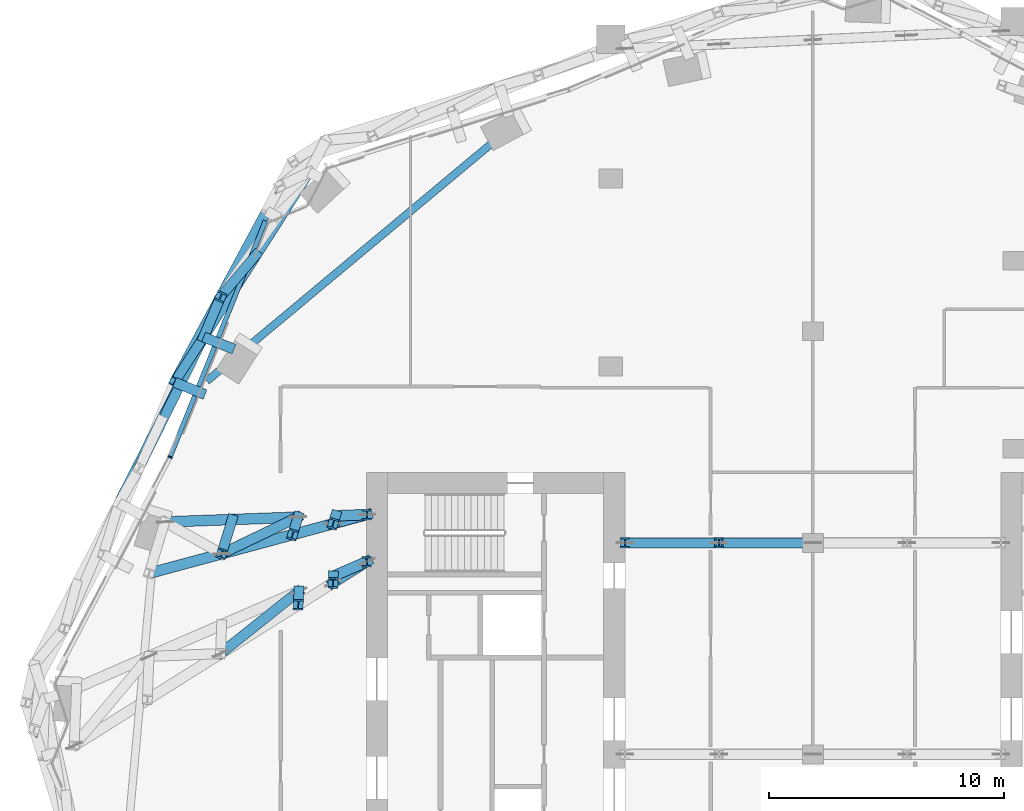
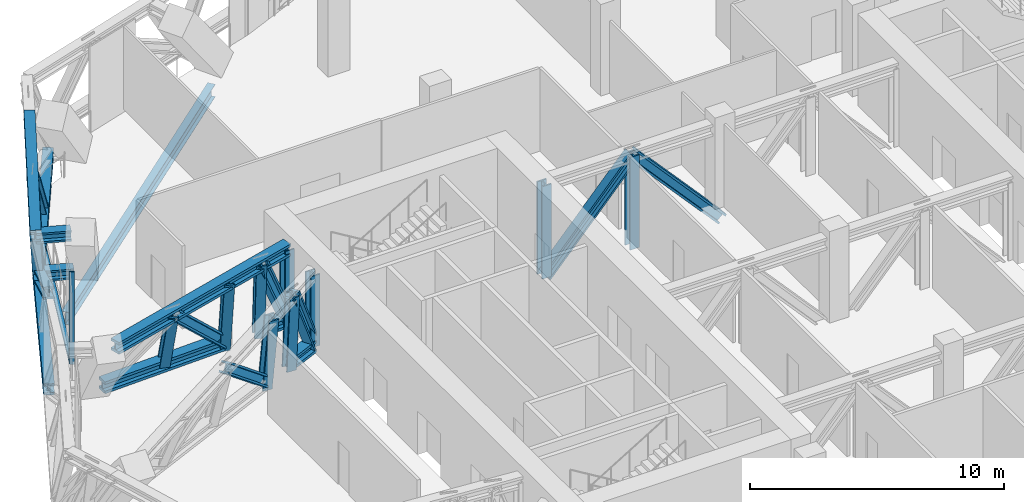
# One storey, part 8 of 31: 30 members, 1 beam, 1 element without a shape of its own.
"""IFC4 building model written with IfcOpenShell, lengths in metres."""

from ifc_helpers import new_model, si_unit, direction, frame, origin, origin_2d, place, context, subcontext, project, spatial, rectangle, i_section, extrude, material, material_profile, profile_set, type_object, element, aggregate, save


model = new_model("IFC4")

# Units and contexts
model_context = context("Model", 3, precision=1e-05, world=origin(), true_north=direction((0.0, 1.0)))
body_context = subcontext(model_context, "Body", "Model", "MODEL_VIEW")
ifc_project = project(units=[si_unit("LENGTHUNIT", "METRE"), si_unit("AREAUNIT", "SQUARE_METRE"), si_unit("VOLUMEUNIT", "CUBIC_METRE"), si_unit("PLANEANGLEUNIT", "RADIAN"), si_unit("MASSUNIT", "GRAM", prefix="KILO")], contexts=[model_context])

# Site, building, storey
site_placement = place(None, origin())
site = spatial("IfcSite", under=ifc_project, at=site_placement, CompositionType="ELEMENT")
building_placement = place(site_placement, origin())
building = spatial("IfcBuilding", under=site, at=building_placement, Name="Orlundy Tower", CompositionType="ELEMENT")
storey_placement = place(building_placement, frame((0.0, 0.0, 271.0)))
storey = spatial("IfcBuildingStorey", under=building, at=storey_placement, Name="L72", CompositionType="ELEMENT", Elevation=271.0)

# Members
ifc_material_1 = material(Name="Steel ASTM A992 Gr 50", Category="steel")
ifc_material_profile_1 = material_profile(ifc_material_1, i_section(OverallWidth=0.4423828125, OverallDepth=0.531494140625, WebThickness=0.06591796875, FlangeThickness=0.105712890625, at=origin_2d()), Name="W14X605")
ifc_profile_set_1 = profile_set([ifc_material_profile_1], Name="Steel ASTM A992 Gr 50")
member_type_1 = type_object("IfcMemberType", Name="BELT TRUSS chord W14X605", PredefinedType="CHORD", material=ifc_profile_set_1)
member_1_placement = place(storey_placement, frame((-21.435791015625, 24.771728515625, 0.28466796875), z_axis=(-0.538989616214, -0.842312408559, 0.0), x_axis=(0.842312408559, -0.538989616214, 0.0)))
element("IfcMember", 1, at=member_1_placement, inside=storey, type_object=member_type_1, Name="Belt truss bottom chord BT-21A", PredefinedType="CHORD", context=body_context, shape_type="SweptSolid", body=[
    extrude(i_section(OverallWidth=0.4423828125, OverallDepth=0.531494140625, WebThickness=0.06591796875, FlangeThickness=0.105712890625, at=origin_2d()), origin(), (0.0, 0.0, 1.0), 8.324951171875),
])
member_2_placement = place(storey_placement, frame((-23.239013671875, 23.109619140625, 3.71533203125), z_axis=(-0.474314741861, -0.880355340561, 0.0), x_axis=(0.880355340561, -0.474314741861, 0.0)))
element("IfcMember", 2, at=member_2_placement, inside=storey, type_object=member_type_1, Name="Belt truss top chord BT-21A", PredefinedType="CHORD", context=body_context, shape_type="SweptSolid", body=[
    extrude(i_section(OverallWidth=0.4423828125, OverallDepth=0.531494140625, WebThickness=0.06591796875, FlangeThickness=0.105712890625, at=origin_2d()), origin(), (0.0, 0.0, 1.0), 8.263916015625),
])
member_3_placement = place(storey_placement, frame((-25.9228515625, 17.759521484375, 0.28466796875), z_axis=(-0.453868653356, -0.891068597528, 0.0), x_axis=(0.891068597528, -0.453868653356, 0.0)))
element("IfcMember", 3, at=member_3_placement, inside=storey, type_object=member_type_1, Name="Belt truss bottom chord BT-22A", PredefinedType="CHORD", context=body_context, shape_type="SweptSolid", body=[
    extrude(i_section(OverallWidth=0.4423828125, OverallDepth=0.531494140625, WebThickness=0.06591796875, FlangeThickness=0.105712890625, at=origin_2d()), origin(), (0.0, 0.0, 1.0), 7.9384765625),
])
ifc_material_2 = material(Name="Steel ASTM A992 Gr 50", Category="steel")
ifc_material_profile_2 = material_profile(ifc_material_2, i_section(OverallWidth=0.42431640625, OverallDepth=0.47412109375, WebThickness=0.0478515625, FlangeThickness=0.0771484375, at=origin_2d()), Name="W14X426")
ifc_profile_set_2 = profile_set([ifc_material_profile_2], Name="Steel ASTM A992 Gr 50")
member_type_2 = type_object("IfcMemberType", Name="BELT TRUSS diagonal W14X426", PredefinedType="BRACE", material=ifc_profile_set_2)
member_4_placement = place(storey_placement, frame((-25.19873046875, 19.471923828125, 3.71533203125), z_axis=(-0.185573707948, -0.43884490477, -0.879191417426), x_axis=(0.921036106488, -0.389477201574, 0.0)))
element("IfcMember", 4, at=member_4_placement, inside=storey, type_object=member_type_2, Name="Belt truss diagonal BT-21A-1", PredefinedType="BRACE", context=body_context, shape_type="SweptSolid", body=[
    extrude(i_section(OverallWidth=0.42431640625, OverallDepth=0.47412109375, WebThickness=0.0478515625, FlangeThickness=0.0771484375, at=origin_2d()), origin(), (0.0, 0.0, 1.0), 3.902099609375),
])
member_5_placement = place(storey_placement, frame((-25.9228515625, 17.759521484375, 0.28466796875), z_axis=(-0.386970629992, -0.786018009851, 0.482109344148), x_axis=(0.89716709494, -0.441691299163, 0.0)))
element("IfcMember", 5, at=member_5_placement, inside=storey, type_object=member_type_2, Name="Belt truss diagonal BT-22A-0", PredefinedType="BRACE", context=body_context, shape_type="SweptSolid", body=[
    extrude(i_section(OverallWidth=0.42431640625, OverallDepth=0.47412109375, WebThickness=0.0478515625, FlangeThickness=0.0771484375, at=origin_2d()), origin(), (0.0, 0.0, 1.0), 7.115966796875),
])
ifc_material_3 = material(Name="Steel ASTM A992 Gr 50", Category="steel")
ifc_material_profile_3 = material_profile(ifc_material_3, i_section(OverallWidth=0.412109375, OverallDepth=0.434814453125, WebThickness=0.035888671875, FlangeThickness=0.057373046875, at=origin_2d()), Name="W14X311")
ifc_profile_set_3 = profile_set([ifc_material_profile_3], Name="Steel ASTM A992 Gr 50")
member_type_3 = type_object("IfcMemberType", Name="BELT TRUSS post W14X311", PredefinedType="POST", material=ifc_profile_set_3)
member_6_placement = place(storey_placement, frame((-23.67919921875, 21.265625, 0.28466796875), z_axis=(-0.365375456655, -0.431300366331, 0.824912583052), x_axis=(0.763011926408, -0.646384405875, 0.0)))
element("IfcMember", 6, at=member_6_placement, inside=storey, type_object=member_type_3, Name="Belt truss post BT-21A-1", PredefinedType="POST", context=body_context, shape_type="SweptSolid", body=[
    extrude(i_section(OverallWidth=0.412109375, OverallDepth=0.434814453125, WebThickness=0.035888671875, FlangeThickness=0.057373046875, at=origin_2d()), origin(), (0.0, 0.0, 1.0), 4.158935546875),
])
member_7_placement = place(storey_placement, frame((-25.9228515625, 17.759521484375, 0.28466796875), z_axis=(-0.299712543703, -0.466857646601, 0.831995389986), x_axis=(0.841514665006, -0.540234271942, 0.0)))
element("IfcMember", 7, at=member_7_placement, inside=storey, type_object=member_type_3, Name="Belt truss post BT-21A-2", PredefinedType="POST", context=body_context, shape_type="SweptSolid", body=[
    extrude(i_section(OverallWidth=0.412109375, OverallDepth=0.434814453125, WebThickness=0.035888671875, FlangeThickness=0.057373046875, at=origin_2d()), origin(), (0.0, 0.0, 1.0), 4.12353515625),
])
ifc_material_4 = material(Name="Steel ASTM A992 Gr 50", Category="steel")
ifc_material_profile_4 = material_profile(ifc_material_4, i_section(OverallWidth=0.43212890625, OverallDepth=0.497802734375, WebThickness=0.0556640625, FlangeThickness=0.0888671875, at=origin_2d()), Name="W14X500")
ifc_profile_set_4 = profile_set([ifc_material_profile_4], Name="Steel ASTM A992 Gr 50")
member_type_4 = type_object("IfcMemberType", Name="BELT TRUSS strut W14X500", PredefinedType="STRUT", material=ifc_profile_set_4)
member_8_placement = place(storey_placement, frame((-24.6298828125, 17.237060546875, 0.28466796875), z_axis=(-0.927167003614, 0.374648298288, 0.0), x_axis=(-0.374648298288, -0.927167003614, 0.0)))
element("IfcMember", 8, at=member_8_placement, inside=storey, type_object=member_type_4, Name="Belt truss bracket C-H21", PredefinedType="STRUT", context=body_context, shape_type="SweptSolid", body=[
    extrude(i_section(OverallWidth=0.43212890625, OverallDepth=0.497802734375, WebThickness=0.0556640625, FlangeThickness=0.0888671875, at=origin_2d()), origin(), (0.0, 0.0, 1.0), 1.39453125),
])
member_9_placement = place(storey_placement, frame((-25.865478515625, 15.31201171875, 3.71533203125), z_axis=(-0.927191570595, 0.374587495011, 0.0), x_axis=(-0.374587495011, -0.927191570595, 0.0)))
element("IfcMember", 9, at=member_9_placement, inside=storey, type_object=member_type_4, Name="Belt truss bracket C-H21", PredefinedType="STRUT", context=body_context, shape_type="SweptSolid", body=[
    extrude(i_section(OverallWidth=0.43212890625, OverallDepth=0.497802734375, WebThickness=0.0556640625, FlangeThickness=0.0888671875, at=origin_2d()), origin(), (0.0, 0.0, 1.0), 1.394775390625),
])

# Beam
ifc_material_5 = material(Name="Steel ASTM A992 Gr 50", Category="steel")
ifc_material_profile_5 = material_profile(ifc_material_5, i_section(OverallWidth=0.32373046875, OverallDepth=0.611083984375, WebThickness=0.0126953125, FlangeThickness=0.01904296875, at=origin_2d()), Name="W24X104")
ifc_profile_set_5 = profile_set([ifc_material_profile_5], Name="Steel ASTM A992 Gr 50")
beam_type = type_object("IfcBeamType", Name="CANTILEVER GIRDER beam W24X104", PredefinedType="BEAM", material=ifc_profile_set_5)
beam_placement = place(storey_placement, frame((-25.785888671875, 15.885009765625, -0.755615234375), z_axis=(0.767932522078, 0.640530749875, 0.0), x_axis=(-0.640530749875, 0.767932522078, 0.0)))
element("IfcBeam", 10, at=beam_placement, inside=storey, type_object=beam_type, Name="Cantilever girder C-H21 L72", PredefinedType="BEAM", context=body_context, shape_type="SweptSolid", body=[
    extrude(i_section(OverallWidth=0.32373046875, OverallDepth=0.611083984375, WebThickness=0.0126953125, FlangeThickness=0.01904296875, at=origin_2d()), origin(), (0.0, 0.0, 1.0), 16.706298828125),
])

# Curtain wall, members
ifc_material_6 = material(Name="Aluminium bronze anodised", Category="aluminium")
curtain_wall_type = type_object("IfcCurtainWallType", Name="CW4 wall", PredefinedType="NOTDEFINED", material=ifc_material_6)
curtain_wall_placement = place(storey_placement, origin())
curtain_wall = element("IfcCurtainWall", 11, at=curtain_wall_placement, inside=storey, type_object=curtain_wall_type, Name="CW4 run 08", PredefinedType="NOTDEFINED")
ifc_material_7 = material(Name="Aluminium bronze anodised", Category="aluminium")
ifc_material_profile_6 = material_profile(ifc_material_7, rectangle(XDim=0.199951171875, YDim=0.06005859375, at=origin_2d()), Name="CW4 mullion 60x200")
ifc_profile_set_6 = profile_set([ifc_material_profile_6], Name="Aluminium bronze anodised")
member_type_5 = type_object("IfcMemberType", Name="CW4 mullion 60x200", PredefinedType="MULLION", material=ifc_profile_set_6)
member_10_placement = place(storey_placement, frame((-27.352783203125, 12.651123046875, -0.449951171875), z_axis=(0.0, 0.0, 1.0), x_axis=(-0.907530505813, 0.419986167652, 0.0)))
member_10 = element("IfcMember", 12, at=member_10_placement, type_object=member_type_5, Name="CW4 mullion 13", PredefinedType="MULLION", context=body_context, shape_type="SweptSolid", body=[
    extrude(rectangle(XDim=0.199951171875, YDim=0.06005859375, at=origin_2d()), origin(), (0.0, 0.0, 1.0), 4.449951171875),
])
ifc_material_8 = material(Name="Aluminium bronze anodised", Category="aluminium")
ifc_material_profile_7 = material_profile(ifc_material_8, rectangle(XDim=0.199951171875, YDim=0.14990234375, at=origin_2d()), Name="CW4 transom 200x150")
ifc_profile_set_7 = profile_set([ifc_material_profile_7], Name="Aluminium bronze anodised")
member_type_6 = type_object("IfcMemberType", Name="CW4 transom 200x150", PredefinedType="USERDEFINED", material=ifc_profile_set_7)
member_11_placement = place(storey_placement, frame((-27.341552734375, 12.678955078125, -0.375), z_axis=(0.374572800857, 0.927197506931, 0.0), x_axis=(-0.927197506931, 0.374572800857, 0.0)))
member_11 = element("IfcMember", 13, at=member_11_placement, type_object=member_type_6, Name="CW4 transom", ObjectType="TRANSOM", PredefinedType="USERDEFINED", context=body_context, shape_type="SweptSolid", body=[
    extrude(rectangle(XDim=0.199951171875, YDim=0.14990234375, at=origin_2d()), origin(), (0.0, 0.0, 1.0), 10.81298828125),
])
aggregate(curtain_wall, [member_10, member_11])

# Members
ifc_material_9 = material(Name="Steel ASTM A992 Gr 50", Category="steel")
ifc_material_profile_8 = material_profile(ifc_material_9, i_section(OverallWidth=0.454345703125, OverallDepth=0.569580078125, WebThickness=0.077880859375, FlangeThickness=0.124755859375, at=origin_2d()), Name="W14X730")
ifc_profile_set_8 = profile_set([ifc_material_profile_8], Name="Steel ASTM A992 Gr 50")
member_type_7 = type_object("IfcMemberType", Name="OUTRIGGER TRUSS chord W14X730", PredefinedType="CHORD", material=ifc_profile_set_8)
member_12_placement = place(storey_placement, frame((-18.97998046875, 8.199951171875, 0.28466796875), z_axis=(-0.91692012074, -0.399070785929, 0.0), x_axis=(0.399070785929, -0.91692012074, 0.0)))
element("IfcMember", 14, at=member_12_placement, inside=storey, type_object=member_type_7, Name="Outrigger truss bottom chord OR-W-C-H19", PredefinedType="CHORD", context=body_context, shape_type="SweptSolid", body=[
    extrude(i_section(OverallWidth=0.454345703125, OverallDepth=0.569580078125, WebThickness=0.077880859375, FlangeThickness=0.124755859375, at=origin_2d()), origin(), (0.0, 0.0, 1.0), 1.553955078125),
])
member_13_placement = place(storey_placement, frame((-18.97998046875, 10.199951171875, 0.28466796875), z_axis=(-0.999346865511, -0.036136441356, 0.0), x_axis=(0.036136441356, -0.999346865511, 0.0)))
element("IfcMember", 15, at=member_13_placement, inside=storey, type_object=member_type_7, Name="Outrigger truss bottom chord OR-W-C-H20", PredefinedType="CHORD", context=body_context, shape_type="SweptSolid", body=[
    extrude(i_section(OverallWidth=0.454345703125, OverallDepth=0.569580078125, WebThickness=0.077880859375, FlangeThickness=0.124755859375, at=origin_2d()), origin(), (0.0, 0.0, 1.0), 1.3310546875),
])
member_14_placement = place(storey_placement, frame((-21.9091796875, 10.093994140625, 0.28466796875), z_axis=(-0.999345850295, -0.036164506042, 0.0), x_axis=(0.036164506042, -0.999345850295, 0.0)))
element("IfcMember", 16, at=member_14_placement, inside=storey, type_object=member_type_7, Name="Outrigger truss bottom chord OR-W-C-H202", PredefinedType="CHORD", context=body_context, shape_type="SweptSolid", body=[
    extrude(i_section(OverallWidth=0.454345703125, OverallDepth=0.569580078125, WebThickness=0.077880859375, FlangeThickness=0.124755859375, at=origin_2d()), origin(), (0.0, 0.0, 1.0), 5.670654296875),
])
member_15_placement = place(storey_placement, frame((-18.97998046875, 10.199951171875, 3.71533203125), z_axis=(-0.965497496513, -0.260412335015, 0.0), x_axis=(0.260412335015, -0.965497496513, 0.0)))
element("IfcMember", 17, at=member_15_placement, inside=storey, type_object=member_type_7, Name="Outrigger truss top chord OR-W-C-H20", PredefinedType="CHORD", context=body_context, shape_type="SweptSolid", body=[
    extrude(i_section(OverallWidth=0.454345703125, OverallDepth=0.569580078125, WebThickness=0.077880859375, FlangeThickness=0.124755859375, at=origin_2d()), origin(), (0.0, 0.0, 1.0), 9.595458984375),
])
ifc_material_10 = material(Name="Steel ASTM A992 Gr 50", Category="steel")
ifc_material_profile_9 = material_profile(ifc_material_10, i_section(OverallWidth=0.43212890625, OverallDepth=0.497802734375, WebThickness=0.0556640625, FlangeThickness=0.0888671875, at=origin_2d()), Name="W14X500")
ifc_profile_set_9 = profile_set([ifc_material_profile_9], Name="Steel ASTM A992 Gr 50")
member_type_8 = type_object("IfcMemberType", Name="OUTRIGGER TRUSS diagonal W14X500", PredefinedType="BRACE", material=ifc_profile_set_9)
member_16_placement = place(storey_placement, frame((-18.97998046875, 8.199951171875, 0.28466796875), z_axis=(-0.375336812226, -0.235893190281, 0.896368607308), x_axis=(0.532118499725, -0.846669889774, 0.0)))
element("IfcMember", 18, at=member_16_placement, inside=storey, type_object=member_type_8, Name="Outrigger truss diagonal OR-W-C-H19-0", PredefinedType="BRACE", context=body_context, shape_type="SweptSolid", body=[
    extrude(i_section(OverallWidth=0.43212890625, OverallDepth=0.497802734375, WebThickness=0.0556640625, FlangeThickness=0.0888671875, at=origin_2d()), origin(), (0.0, 0.0, 1.0), 3.827392578125),
])
member_17_placement = place(storey_placement, frame((-21.871826171875, 6.941162109375, 0.28466796875), z_axis=(-0.609384116779, -0.485294109548, 0.627009270629), x_axis=(0.622961184341, -0.782252748671, 0.0)))
element("IfcMember", 19, at=member_17_placement, inside=storey, type_object=member_type_8, Name="Outrigger truss diagonal OR-W-C-H19-2", PredefinedType="BRACE", context=body_context, shape_type="SweptSolid", body=[
    extrude(i_section(OverallWidth=0.43212890625, OverallDepth=0.497802734375, WebThickness=0.0556640625, FlangeThickness=0.0888671875, at=origin_2d()), origin(), (0.0, 0.0, 1.0), 5.471435546875),
])
member_18_placement = place(storey_placement, frame((-18.97998046875, 10.199951171875, 0.28466796875), z_axis=(-0.383500187585, -0.103385694303, 0.917735803124), x_axis=(0.260291885528, -0.965529975883, 0.0)))
element("IfcMember", 20, at=member_18_placement, inside=storey, type_object=member_type_8, Name="Outrigger truss diagonal OR-W-C-H20-0", PredefinedType="BRACE", context=body_context, shape_type="SweptSolid", body=[
    extrude(i_section(OverallWidth=0.43212890625, OverallDepth=0.497802734375, WebThickness=0.0556640625, FlangeThickness=0.0888671875, at=origin_2d()), origin(), (0.0, 0.0, 1.0), 3.73828125),
])
member_19_placement = place(storey_placement, frame((-21.9091796875, 10.093994140625, 0.28466796875), z_axis=(-0.652739195593, -0.31356020456, 0.689645953119), x_axis=(0.433006460857, -0.901390816936, 0.0)))
element("IfcMember", 21, at=member_19_placement, inside=storey, type_object=member_type_8, Name="Outrigger truss diagonal OR-W-C-H20-2", PredefinedType="BRACE", context=body_context, shape_type="SweptSolid", body=[
    extrude(i_section(OverallWidth=0.43212890625, OverallDepth=0.497802734375, WebThickness=0.0556640625, FlangeThickness=0.0888671875, at=origin_2d()), origin(), (0.0, 0.0, 1.0), 4.974609375),
])
ifc_material_11 = material(Name="Steel ASTM A992 Gr 50", Category="steel")
ifc_material_profile_10 = material_profile(ifc_material_11, i_section(OverallWidth=0.41845703125, OverallDepth=0.455078125, WebThickness=0.0419921875, FlangeThickness=0.067626953125, at=origin_2d()), Name="W14X370")
ifc_profile_set_10 = profile_set([ifc_material_profile_10], Name="Steel ASTM A992 Gr 50")
member_type_9 = type_object("IfcMemberType", Name="OUTRIGGER TRUSS post W14X370", PredefinedType="POST", material=ifc_profile_set_10)
member_20_placement = place(storey_placement, frame((-18.97998046875, 8.199951171875, 0.28466796875), z_axis=(0.0, 0.0, 1.0), x_axis=(1.0, 0.0, 0.0)))
element("IfcMember", 22, at=member_20_placement, inside=storey, type_object=member_type_9, Name="Outrigger truss post OR-W-C-H19-0", PredefinedType="POST", context=body_context, shape_type="SweptSolid", body=[
    extrude(i_section(OverallWidth=0.41845703125, OverallDepth=0.455078125, WebThickness=0.0419921875, FlangeThickness=0.067626953125, at=origin_2d()), origin(), (0.0, 0.0, 1.0), 3.4306640625),
])
member_21_placement = place(storey_placement, frame((-20.40478515625, 7.579833984375, 0.0), z_axis=(-0.003145051676, -0.075874371686, 0.997112425141), x_axis=(0.999142021989, -0.041415213347, 0.0)))
element("IfcMember", 23, at=member_21_placement, inside=storey, type_object=member_type_9, Name="Outrigger truss post OR-W-C-H19-1", PredefinedType="POST", context=body_context, shape_type="SweptSolid", body=[
    extrude(i_section(OverallWidth=0.41845703125, OverallDepth=0.455078125, WebThickness=0.0419921875, FlangeThickness=0.067626953125, at=origin_2d()), origin(), (0.0, 0.0, 1.0), 3.72607421875),
])
member_22_placement = place(storey_placement, frame((-21.871826171875, 6.941162109375, 0.0), z_axis=(-0.006234240194, -0.152673944761, 0.988256950818), x_axis=(0.999167346095, -0.040799687463, 0.0)))
element("IfcMember", 24, at=member_22_placement, inside=storey, type_object=member_type_9, Name="Outrigger truss post OR-W-C-H19-2", PredefinedType="POST", context=body_context, shape_type="SweptSolid", body=[
    extrude(i_section(OverallWidth=0.41845703125, OverallDepth=0.455078125, WebThickness=0.0419921875, FlangeThickness=0.067626953125, at=origin_2d()), origin(), (0.0, 0.0, 1.0), 3.759521484375),
])
member_23_placement = place(storey_placement, frame((-18.97998046875, 10.199951171875, 0.28466796875), z_axis=(0.0, 0.0, 1.0), x_axis=(1.0, 0.0, 0.0)))
element("IfcMember", 25, at=member_23_placement, inside=storey, type_object=member_type_9, Name="Outrigger truss post OR-W-C-H20-0", PredefinedType="POST", context=body_context, shape_type="SweptSolid", body=[
    extrude(i_section(OverallWidth=0.41845703125, OverallDepth=0.455078125, WebThickness=0.0419921875, FlangeThickness=0.067626953125, at=origin_2d()), origin(), (0.0, 0.0, 1.0), 3.4306640625),
])
member_24_placement = place(storey_placement, frame((-20.31005859375, 10.15185546875, 0.0), z_axis=(-0.027736226531, -0.090666061254, 0.995495036188), x_axis=(0.956255112603, -0.292534031561, 0.0)))
element("IfcMember", 26, at=member_24_placement, inside=storey, type_object=member_type_9, Name="Outrigger truss post OR-W-C-H20-1", PredefinedType="POST", context=body_context, shape_type="SweptSolid", body=[
    extrude(i_section(OverallWidth=0.41845703125, OverallDepth=0.455078125, WebThickness=0.0419921875, FlangeThickness=0.067626953125, at=origin_2d()), origin(), (0.0, 0.0, 1.0), 3.732177734375),
])
member_25_placement = place(storey_placement, frame((-21.9091796875, 10.093994140625, 0.0), z_axis=(-0.059938857246, -0.196344775937, 0.978701211992), x_axis=(0.956426928492, -0.291971797365, 0.0)))
element("IfcMember", 27, at=member_25_placement, inside=storey, type_object=member_type_9, Name="Outrigger truss post OR-W-C-H20-2", PredefinedType="POST", context=body_context, shape_type="SweptSolid", body=[
    extrude(i_section(OverallWidth=0.41845703125, OverallDepth=0.455078125, WebThickness=0.0419921875, FlangeThickness=0.067626953125, at=origin_2d()), origin(), (0.0, 0.0, 1.0), 3.796142578125),
])
member_26_placement = place(storey_placement, frame((-24.710693359375, 9.99267578125, 0.28466796875), z_axis=(-0.118677254945, -0.388481052626, 0.913782348762), x_axis=(0.956368967829, -0.292161594625, 0.0)))
element("IfcMember", 28, at=member_26_placement, inside=storey, type_object=member_type_9, Name="Outrigger truss post OR-W-C-H20-3", PredefinedType="POST", context=body_context, shape_type="SweptSolid", body=[
    extrude(i_section(OverallWidth=0.41845703125, OverallDepth=0.455078125, WebThickness=0.0419921875, FlangeThickness=0.067626953125, at=origin_2d()), origin(), (0.0, 0.0, 1.0), 3.75439453125),
])
ifc_material_12 = material(Name="Steel ASTM A992 Gr 50", Category="steel")
ifc_material_profile_11 = material_profile(ifc_material_12, i_section(OverallWidth=0.43212890625, OverallDepth=0.497802734375, WebThickness=0.0556640625, FlangeThickness=0.0888671875, at=origin_2d()), Name="W14X500")
ifc_profile_set_11 = profile_set([ifc_material_profile_11], Name="Steel ASTM A992 Gr 50")
member_type_10 = type_object("IfcMemberType", Name="PORTAL TRUSS diagonal W14X500", PredefinedType="BRACE", material=ifc_profile_set_11)
for number, where, z_axis, x_axis, name in (
    (29, (-8.0, 9.0, -0.734619140625), (0.668506986445, 0.0, 0.743705861934), (0.0, 1.0, 0.0), "Portal truss diagonal PT-03-0"),
    (30, (-4.0, 9.0, 3.71533203125), (0.668506986445, 0.0, -0.743705861934), (0.0, 1.0, 0.0), "Portal truss diagonal PT-03-1"),
):
    element("IfcMember", number, at=place(storey_placement, frame(where, z_axis=z_axis, x_axis=x_axis)), inside=storey, type_object=member_type_10, Name=name, PredefinedType="BRACE", context=body_context, shape_type="SweptSolid", body=[
        extrude(i_section(OverallWidth=0.43212890625, OverallDepth=0.497802734375, WebThickness=0.0556640625, FlangeThickness=0.0888671875, at=origin_2d()), origin(), (0.0, 0.0, 1.0), 5.9833984375),
    ])
ifc_material_13 = material(Name="Steel ASTM A992 Gr 50", Category="steel")
ifc_material_profile_12 = material_profile(ifc_material_13, i_section(OverallWidth=0.41845703125, OverallDepth=0.455078125, WebThickness=0.0419921875, FlangeThickness=0.067626953125, at=origin_2d()), Name="W14X370")
ifc_profile_set_12 = profile_set([ifc_material_profile_12], Name="Steel ASTM A992 Gr 50")
member_type_11 = type_object("IfcMemberType", Name="PORTAL TRUSS post W14X370", PredefinedType="POST", material=ifc_profile_set_12)
for number, where, z_axis, x_axis, name in (
    (31, (-8.0, 9.0, -0.734619140625), (0.0, 0.0, 1.0), (1.0, 0.0, 0.0), "Portal truss post PT-03-0"),
    (32, (-4.0, 9.0, -0.734619140625), (0.0, 0.0, 1.0), (1.0, 0.0, 0.0), "Portal truss post PT-03-1"),
):
    element("IfcMember", number, at=place(storey_placement, frame(where, z_axis=z_axis, x_axis=x_axis)), inside=storey, type_object=member_type_11, Name=name, PredefinedType="POST", context=body_context, shape_type="SweptSolid", body=[
        extrude(i_section(OverallWidth=0.41845703125, OverallDepth=0.455078125, WebThickness=0.0419921875, FlangeThickness=0.067626953125, at=origin_2d()), origin(), (0.0, 0.0, 1.0), 4.449951171875),
    ])

save(model, "model.ifc")
